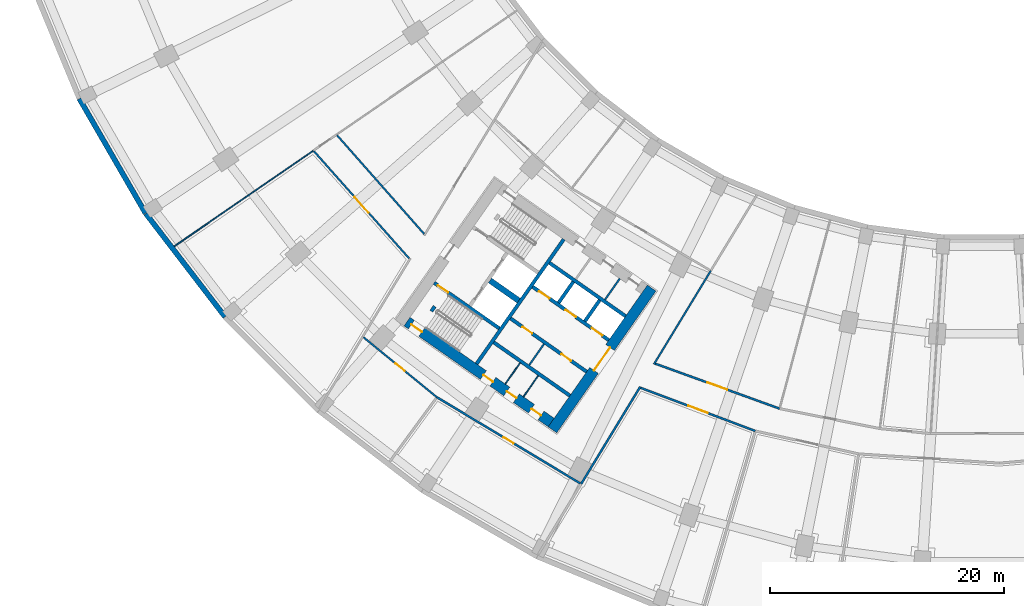
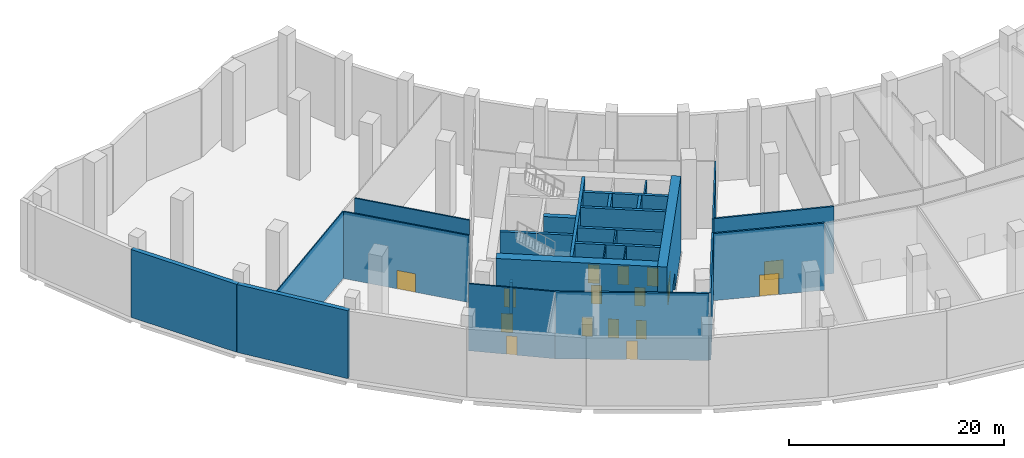
# One storey, part 5 of 17: 27 walls, 16 doors, 16 openings.
"""IFC4 building model written with IfcOpenShell, lengths in metres."""

from ifc_helpers import new_model, si_unit, direction, frame, frame_2d, origin, place, context, subcontext, project, spatial, rectangle, extrude, material, layer, layer_set, type_object, element, fill, save


model = new_model("IFC4")

# Units and contexts
model_context = context("Model", 3, precision=1e-05, world=origin(), true_north=direction((0.0, 1.0)))
body_context = subcontext(model_context, "Body", "Model", "MODEL_VIEW")
ifc_project = project(units=[si_unit("LENGTHUNIT", "METRE"), si_unit("AREAUNIT", "SQUARE_METRE"), si_unit("VOLUMEUNIT", "CUBIC_METRE"), si_unit("PLANEANGLEUNIT", "RADIAN"), si_unit("MASSUNIT", "GRAM", prefix="KILO")], contexts=[model_context])

# Site, building, storey
site_placement = place(None, origin())
site = spatial("IfcSite", under=ifc_project, at=site_placement, CompositionType="ELEMENT")
building_placement = place(site_placement, origin())
building = spatial("IfcBuilding", under=site, at=building_placement, Name="Qamariyya Broadcast Tower", CompositionType="ELEMENT")
storey_placement = place(building_placement, frame((0.0, 0.0, 18.0)))
storey = spatial("IfcBuildingStorey", under=building, at=storey_placement, Name="L02", CompositionType="ELEMENT", Elevation=18.0)

# Wall, opening, door
ifc_material_1 = material(Name="Concrete C70/85", Category="concrete")
ifc_layer_1 = layer(ifc_material_1, 0.89990234375)
ifc_layer_set_1 = layer_set([ifc_layer_1], Name="Core wall 900 mm Concrete C70/85")
wall_type_1 = type_object("IfcWallType", Name="Core wall 900 mm Concrete C70/85", PredefinedType="SHEAR", material=ifc_layer_set_1)
wall_1_placement = place(storey_placement, frame((-36.716796875, -66.3369140625, 0.0), z_axis=(0.0, 0.0, 1.0), x_axis=(0.573577477574, 0.819151315216, 0.0)))
wall_1 = element("IfcWall", 1, at=wall_1_placement, inside=storey, type_object=wall_type_1, Name="k-W-L02-WA", PredefinedType="SHEAR", context=body_context, shape_type="SweptSolid", body=[
    extrude(rectangle(XDim=14.800048828125, YDim=0.89990234375, at=frame_2d((7.39990234375, 0.0))), origin(), (0.0, 0.0, 1.0), 8.60009765625),
])
opening_1_placement = place(wall_1_placement, frame((6.199951171875, 0.0, 0.0)))
opening_1 = element("IfcOpeningElement", 2, at=opening_1_placement, cuts=wall_1, Name="Opening KD3-W1", PredefinedType="OPENING", context=body_context, shape_type="SweptSolid", body=[
    extrude(rectangle(XDim=2.39990234375, YDim=2.10009765625, at=frame_2d((1.199951171875, 1.050048828125))), frame((0.0, 0.4599609375, 0.0), z_axis=(0.0, -1.0, 0.0), x_axis=(1.0, 0.0, 0.0)), (0.0, 0.0, 1.0), 0.919921875),
])
ifc_material_2 = material(Name="Steel fire-resisting door leaf", Category="steel")
door_type_1 = type_object("IfcDoorType", Name="Lift lobby door KD3", OperationType="DOUBLE_DOOR_SINGLE_SWING", PredefinedType="DOOR", material=ifc_material_2)
door_1_placement = place(opening_1_placement, origin())
door_1 = element("IfcDoor", 3, at=door_1_placement, inside=storey, type_object=door_type_1, Name="k-W-L02-WA-D1", OperationType="DOUBLE_DOOR_SINGLE_SWING", OverallHeight=2.10009765625, OverallWidth=2.39990234375, PredefinedType="DOOR", context=body_context, shape_type="SweptSolid", body=[
    extrude(rectangle(XDim=2.39990234375, YDim=2.10009765625, at=frame_2d((1.199951171875, 1.050048828125))), frame((0.0, 0.02490234375, 0.0), z_axis=(0.0, -1.0, 0.0), x_axis=(1.0, 0.0, 0.0)), (0.0, 0.0, 1.0), 0.050048828125),
])
fill(opening_1, door_1)

# Wall, openings, doors
wall_2_placement = place(storey_placement, frame((-36.827392578125, -65.710205078125, 0.0), z_axis=(0.0, 0.0, 1.0), x_axis=(-0.819153391756, 0.573574511963, 0.0)))
wall_2 = element("IfcWall", 4, at=wall_2_placement, inside=storey, type_object=wall_type_1, Name="k-W-L02-WO", PredefinedType="SHEAR", context=body_context, shape_type="SweptSolid", body=[
    extrude(rectangle(XDim=15.04541015625, YDim=0.89990234375, at=frame_2d((7.522705078125, 0.0))), origin(), (0.0, 0.0, 1.0), 8.60009765625),
])
opening_2_placement = place(wall_2_placement, frame((1.050048828125, 0.0, 0.0)))
opening_2 = element("IfcOpeningElement", 5, at=opening_2_placement, cuts=wall_2, Name="Opening KD4-W2", PredefinedType="OPENING", context=body_context, shape_type="SweptSolid", body=[
    extrude(rectangle(XDim=1.0, YDim=2.10009765625, at=frame_2d((0.5, 1.050048828125))), frame((0.0, 0.4599609375, 0.0), z_axis=(0.0, -1.0, 0.0), x_axis=(1.0, 0.0, 0.0)), (0.0, 0.0, 1.0), 0.919921875),
])
opening_3_placement = place(wall_2_placement, frame((3.625, 0.0, 0.0)))
opening_3 = element("IfcOpeningElement", 6, at=opening_3_placement, cuts=wall_2, Name="Opening KD4-W3", PredefinedType="OPENING", context=body_context, shape_type="SweptSolid", body=[
    extrude(rectangle(XDim=1.0, YDim=2.10009765625, at=frame_2d((0.5, 1.050048828125))), frame((0.0, 0.4599609375, 0.0), z_axis=(0.0, -1.0, 0.0), x_axis=(1.0, 0.0, 0.0)), (0.0, 0.0, 1.0), 0.919921875),
])
opening_4_placement = place(wall_2_placement, frame((6.074951171875, 0.0, 0.0)))
opening_4 = element("IfcOpeningElement", 7, at=opening_4_placement, cuts=wall_2, Name="Opening KD6-W3", PredefinedType="OPENING", context=body_context, shape_type="SweptSolid", body=[
    extrude(rectangle(XDim=1.0, YDim=2.10009765625, at=frame_2d((0.5, 1.050048828125))), frame((0.0, 0.4599609375, 0.0), z_axis=(0.0, -1.0, 0.0), x_axis=(1.0, 0.0, 0.0)), (0.0, 0.0, 1.0), 0.919921875),
])
opening_5_placement = place(wall_2_placement, frame((13.495361328125, 0.0, 0.0)))
opening_5 = element("IfcOpeningElement", 8, at=opening_5_placement, cuts=wall_2, Name="Opening KD1-W3", PredefinedType="OPENING", context=body_context, shape_type="SweptSolid", body=[
    extrude(rectangle(XDim=1.10009765625, YDim=2.10009765625, at=frame_2d((0.550048828125, 1.050048828125))), frame((0.0, 0.4599609375, 0.0), z_axis=(0.0, -1.0, 0.0), x_axis=(1.0, 0.0, 0.0)), (0.0, 0.0, 1.0), 0.919921875),
])
door_type_2 = type_object("IfcDoorType", Name="Core room door KD6", OperationType="SINGLE_SWING_LEFT", PredefinedType="DOOR", material=ifc_material_2)
door_2_placement = place(opening_4_placement, origin())
door_2 = element("IfcDoor", 9, at=door_2_placement, inside=storey, type_object=door_type_2, Name="k-W-L02-WO-D12", OperationType="SINGLE_SWING_LEFT", OverallHeight=2.10009765625, OverallWidth=1.0, PredefinedType="DOOR", context=body_context, shape_type="SweptSolid", body=[
    extrude(rectangle(XDim=1.0, YDim=2.10009765625, at=frame_2d((0.5, 1.050048828125))), frame((0.0, 0.02490234375, 0.0), z_axis=(0.0, -1.0, 0.0), x_axis=(1.0, 0.0, 0.0)), (0.0, 0.0, 1.0), 0.050048828125),
])
fill(opening_4, door_2)
door_type_3 = type_object("IfcDoorType", Name="Riser and plant door KD4", OperationType="SINGLE_SWING_LEFT", PredefinedType="DOOR", material=ifc_material_2)
door_3_placement = place(opening_2_placement, origin())
door_3 = element("IfcDoor", 10, at=door_3_placement, inside=storey, type_object=door_type_3, Name="k-W-L02-WO-D10", OperationType="SINGLE_SWING_LEFT", OverallHeight=2.10009765625, OverallWidth=1.0, PredefinedType="DOOR", context=body_context, shape_type="SweptSolid", body=[
    extrude(rectangle(XDim=1.0, YDim=2.10009765625, at=frame_2d((0.5, 1.050048828125))), frame((0.0, 0.02490234375, 0.0), z_axis=(0.0, -1.0, 0.0), x_axis=(1.0, 0.0, 0.0)), (0.0, 0.0, 1.0), 0.050048828125),
])
fill(opening_2, door_3)
door_4_placement = place(opening_3_placement, origin())
door_4 = element("IfcDoor", 11, at=door_4_placement, inside=storey, type_object=door_type_3, Name="k-W-L02-WO-D11", OperationType="SINGLE_SWING_RIGHT", OverallHeight=2.10009765625, OverallWidth=1.0, PredefinedType="DOOR", context=body_context, shape_type="SweptSolid", body=[
    extrude(rectangle(XDim=1.0, YDim=2.10009765625, at=frame_2d((0.5, 1.050048828125))), frame((0.0, 0.02490234375, 0.0), z_axis=(0.0, -1.0, 0.0), x_axis=(1.0, 0.0, 0.0)), (0.0, 0.0, 1.0), 0.050048828125),
])
fill(opening_3, door_4)
door_type_4 = type_object("IfcDoorType", Name="Stair door KD1", OperationType="SINGLE_SWING_LEFT", PredefinedType="DOOR", material=ifc_material_2)
door_5_placement = place(opening_5_placement, origin())
door_5 = element("IfcDoor", 12, at=door_5_placement, inside=storey, type_object=door_type_4, Name="k-W-L02-WO-D18", OperationType="SINGLE_SWING_LEFT", OverallHeight=2.10009765625, OverallWidth=1.10009765625, PredefinedType="DOOR", context=body_context, shape_type="SweptSolid", body=[
    extrude(rectangle(XDim=1.10009765625, YDim=2.10009765625, at=frame_2d((0.550048828125, 1.050048828125))), frame((0.0, 0.02490234375, 0.0), z_axis=(0.0, -1.0, 0.0), x_axis=(1.0, 0.0, 0.0)), (0.0, 0.0, 1.0), 0.050048828125),
])
fill(opening_5, door_5)

# Wall, opening, door
ifc_material_3 = material(Name="Gypsum board partition")
ifc_layer_2 = layer(ifc_material_3, 0.14990234375)
ifc_layer_set_2 = layer_set([ifc_layer_2], Name="Corridor partition 150 EI 60")
wall_type_2 = type_object("IfcWallType", Name="Corridor partition 150 EI 60", PredefinedType="PARTITIONING", material=ifc_layer_set_2)
wall_3_placement = place(storey_placement, frame((-46.593505859375, -63.549072265625, 0.0), z_axis=(0.0, 0.0, 1.0), x_axis=(-0.774664810718, 0.632372066931, 0.0)))
wall_3 = element("IfcWall", 13, at=wall_3_placement, inside=storey, type_object=wall_type_2, Name="Partition L02-005", PredefinedType="PARTITIONING", context=body_context, shape_type="SweptSolid", body=[
    extrude(rectangle(XDim=8.112060546875, YDim=0.14990234375, at=frame_2d((4.05615234375, 0.0))), origin(), (0.0, 0.0, 1.0), 7.60009765625),
])
opening_6_placement = place(wall_3_placement, frame((3.55615234375, 0.0, 0.0)))
opening_6 = element("IfcOpeningElement", 14, at=opening_6_placement, cuts=wall_3, Name="Opening L02-D13", PredefinedType="OPENING", context=body_context, shape_type="SweptSolid", body=[
    extrude(rectangle(XDim=1.0, YDim=2.10009765625, at=frame_2d((0.5, 1.050048828125))), frame((0.0, 0.0849609375, 0.0), z_axis=(0.0, -1.0, 0.0), x_axis=(1.0, 0.0, 0.0)), (0.0, 0.0, 1.0), 0.169921875),
])
ifc_material_4 = material(Name="Timber fire door leaf", Category="wood")
door_type_5 = type_object("IfcDoorType", Name="Fire door 1000 x 2100 FD60", OperationType="NOTDEFINED", PredefinedType="DOOR", material=ifc_material_4)
door_6_placement = place(opening_6_placement, origin())
door_6 = element("IfcDoor", 15, at=door_6_placement, inside=storey, type_object=door_type_5, Name="Door L02-D13", OperationType="SINGLE_SWING_RIGHT", OverallHeight=2.10009765625, OverallWidth=1.0, PredefinedType="DOOR", context=body_context, shape_type="SweptSolid", body=[
    extrude(rectangle(XDim=1.0, YDim=2.10009765625, at=frame_2d((0.5, 1.050048828125))), frame((0.0, 0.02490234375, 0.0), z_axis=(0.0, -1.0, 0.0), x_axis=(1.0, 0.0, 0.0)), (0.0, 0.0, 1.0), 0.050048828125),
])
fill(opening_6, door_6)

wall_4_placement = place(storey_placement, frame((-48.958984375, -51.686767578125, 0.0), z_axis=(0.0, 0.0, 1.0), x_axis=(-0.664036516543, 0.747700143572, 0.0)))
wall_4 = element("IfcWall", 16, at=wall_4_placement, inside=storey, type_object=wall_type_2, Name="Partition L02-007", PredefinedType="PARTITIONING", context=body_context, shape_type="SweptSolid", body=[
    extrude(rectangle(XDim=12.270751953125, YDim=0.14990234375, at=frame_2d((6.13525390625, 0.0))), origin(), (0.0, 0.0, 1.0), 7.60009765625),
])
opening_7_placement = place(wall_4_placement, frame((5.2353515625, 0.0, 0.0)))
opening_7 = element("IfcOpeningElement", 17, at=opening_7_placement, cuts=wall_4, Name="Opening L02-D16", PredefinedType="OPENING", context=body_context, shape_type="SweptSolid", body=[
    extrude(rectangle(XDim=1.800048828125, YDim=2.10009765625, at=frame_2d((0.89990234375, 1.050048828125))), frame((0.0, 0.0849609375, 0.0), z_axis=(0.0, -1.0, 0.0), x_axis=(1.0, 0.0, 0.0)), (0.0, 0.0, 1.0), 0.169921875),
])
door_type_6 = type_object("IfcDoorType", Name="Double fire door 1800 x 2100 FD60", OperationType="NOTDEFINED", PredefinedType="DOOR", material=ifc_material_4)
door_7_placement = place(opening_7_placement, origin())
door_7 = element("IfcDoor", 18, at=door_7_placement, inside=storey, type_object=door_type_6, Name="Door L02-D16", OperationType="DOUBLE_DOOR_SINGLE_SWING", OverallHeight=2.10009765625, OverallWidth=1.800048828125, PredefinedType="DOOR", context=body_context, shape_type="SweptSolid", body=[
    extrude(rectangle(XDim=1.800048828125, YDim=2.10009765625, at=frame_2d((0.89990234375, 1.050048828125))), frame((0.0, 0.02490234375, 0.0), z_axis=(0.0, -1.0, 0.0), x_axis=(1.0, 0.0, 0.0)), (0.0, 0.0, 1.0), 0.050048828125),
])
fill(opening_7, door_7)

# Walls
wall_5_placement = place(storey_placement, frame((-47.683349609375, -49.587158203125, 0.0), z_axis=(0.0, 0.0, 1.0), x_axis=(-0.661713482334, 0.749756805436, 0.0)))
element("IfcWall", 19, at=wall_5_placement, inside=storey, type_object=wall_type_2, Name="Partition L02-009", PredefinedType="PARTITIONING", context=body_context, shape_type="SweptSolid", body=[
    extrude(rectangle(XDim=11.252685546875, YDim=0.14990234375, at=frame_2d((5.62646484375, 0.0))), origin(), (0.0, 0.0, 1.0), 7.60009765625),
])
wall_6_placement = place(storey_placement, frame((-23.174072265625, -52.732421875, 0.0), z_axis=(0.0, 0.0, 1.0), x_axis=(-0.519584464565, -0.854419091654, 0.0)))
element("IfcWall", 20, at=wall_6_placement, inside=storey, type_object=wall_type_2, Name="Partition L02-021", PredefinedType="PARTITIONING", context=body_context, shape_type="SweptSolid", body=[
    extrude(rectangle(XDim=9.35986328125, YDim=0.14990234375, at=frame_2d((4.679931640625, 0.0))), origin(), (0.0, 0.0, 1.0), 7.60009765625),
])
ifc_material_5 = material(Name="Concrete C60/75", Category="concrete")
ifc_layer_3 = layer(ifc_material_5, 0.5)
ifc_layer_set_3 = layer_set([ifc_layer_3], Name="Fire-fighting lobby divider wall 500 mm Concrete C60/75")
wall_type_3 = type_object("IfcWallType", Name="Fire-fighting lobby divider wall 500 mm Concrete C60/75", PredefinedType="SOLIDWALL", material=ifc_layer_set_3)
wall_7_placement = place(storey_placement, frame((-39.59912109375, -55.28515625, 0.0), z_axis=(0.0, 0.0, 1.0), x_axis=(-0.819136323161, 0.573598887793, 0.0)))
element("IfcWall", 21, at=wall_7_placement, inside=storey, type_object=wall_type_3, Name="k-W-L02-FD", PredefinedType="SOLIDWALL", context=body_context, shape_type="SweptSolid", body=[
    extrude(rectangle(XDim=2.999755859375, YDim=0.5, at=frame_2d((1.5, 0.0))), origin(), (0.0, 0.0, 1.0), 8.60009765625),
])
ifc_material_6 = material(Name="Gypsum board partition on steel studs", Category="steel")
ifc_layer_4 = layer(ifc_material_6, 0.14990234375)
ifc_layer_set_4 = layer_set([ifc_layer_4], Name="Gypsum board partition 150 mm")
wall_type_4 = type_object("IfcWallType", Name="Gypsum board partition 150 mm", PredefinedType="PARTITIONING", material=ifc_layer_set_4)
wall_8_placement = place(storey_placement, frame((-37.436767578125, -58.99658203125, 0.0), z_axis=(0.0, 0.0, 1.0), x_axis=(-0.573559170999, -0.819164133348, 0.0)))
element("IfcWall", 22, at=wall_8_placement, inside=storey, type_object=wall_type_4, Name="k-W-L02-SC435", PredefinedType="PARTITIONING", context=body_context, shape_type="SweptSolid", body=[
    extrude(rectangle(XDim=2.19970703125, YDim=0.14990234375, at=frame_2d((1.099853515625, 0.0))), origin(), (0.0, 0.0, 1.0), 8.60009765625),
])
wall_9_placement = place(storey_placement, frame((-32.2177734375, -55.204345703125, 0.0), z_axis=(0.0, 0.0, 1.0), x_axis=(0.573581496053, 0.819148501424, 0.0)))
element("IfcWall", 23, at=wall_9_placement, inside=storey, type_object=wall_type_4, Name="k-W-L02-NP225", PredefinedType="PARTITIONING", context=body_context, shape_type="SweptSolid", body=[
    extrude(rectangle(XDim=2.2001953125, YDim=0.14990234375, at=frame_2d((1.10009765625, 0.0))), origin(), (0.0, 0.0, 1.0), 8.60009765625),
])
ifc_layer_5 = layer(ifc_material_5, 0.300048828125)
ifc_layer_set_5 = layer_set([ifc_layer_5], Name="Lift shaft wall 300 mm Concrete C60/75")
wall_type_5 = type_object("IfcWallType", Name="Lift shaft wall 300 mm Concrete C60/75", PredefinedType="SOLIDWALL", material=ifc_layer_set_5)
wall_10_placement = place(storey_placement, frame((-43.204345703125, -60.69580078125, 0.0), z_axis=(0.0, 0.0, 1.0), x_axis=(0.573571992966, 0.819155155563, 0.0)))
element("IfcWall", 24, at=wall_10_placement, inside=storey, type_object=wall_type_5, Name="k-W-L02-WL", PredefinedType="SOLIDWALL", context=body_context, shape_type="SweptSolid", body=[
    extrude(rectangle(XDim=13.000244140625, YDim=0.300048828125, at=frame_2d((6.5, 0.0))), origin(), (0.0, 0.0, 1.0), 8.60009765625),
])

# Wall, openings, doors
wall_11_placement = place(storey_placement, frame((-31.89453125, -58.66552734375, 0.0), z_axis=(0.0, 0.0, 1.0), x_axis=(-0.819166993208, 0.573555086491, 0.0)))
wall_11 = element("IfcWall", 25, at=wall_11_placement, inside=storey, type_object=wall_type_5, Name="k-W-L02-NF0", PredefinedType="SOLIDWALL", context=body_context, shape_type="SweptSolid", body=[
    extrude(rectangle(XDim=7.9501953125, YDim=0.300048828125, at=frame_2d((3.97509765625, 0.0))), origin(), (0.0, 0.0, 1.0), 8.60009765625),
])
opening_8_placement = place(wall_11_placement, frame((0.675048828125, 0.0, 0.0)))
opening_8 = element("IfcOpeningElement", 26, at=opening_8_placement, cuts=wall_11, Name="Opening LD", PredefinedType="OPENING", context=body_context, shape_type="SweptSolid", body=[
    extrude(rectangle(XDim=1.10009765625, YDim=2.10009765625, at=frame_2d((0.550048828125, 1.050048828125))), frame((0.0, 0.159912109375, 0.0), z_axis=(0.0, -1.0, 0.0), x_axis=(1.0, 0.0, 0.0)), (0.0, 0.0, 1.0), 0.320068359375),
])
opening_9_placement = place(wall_11_placement, frame((3.425048828125, 0.0, 0.0)))
opening_9 = element("IfcOpeningElement", 27, at=opening_9_placement, cuts=wall_11, Name="Opening LD", PredefinedType="OPENING", context=body_context, shape_type="SweptSolid", body=[
    extrude(rectangle(XDim=1.10009765625, YDim=2.10009765625, at=frame_2d((0.550048828125, 1.050048828125))), frame((0.0, 0.159912109375, 0.0), z_axis=(0.0, -1.0, 0.0), x_axis=(1.0, 0.0, 0.0)), (0.0, 0.0, 1.0), 0.320068359375),
])
opening_10_placement = place(wall_11_placement, frame((6.175048828125, 0.0, 0.0)))
opening_10 = element("IfcOpeningElement", 28, at=opening_10_placement, cuts=wall_11, Name="Opening LD", PredefinedType="OPENING", context=body_context, shape_type="SweptSolid", body=[
    extrude(rectangle(XDim=1.10009765625, YDim=2.10009765625, at=frame_2d((0.550048828125, 1.050048828125))), frame((0.0, 0.159912109375, 0.0), z_axis=(0.0, -1.0, 0.0), x_axis=(1.0, 0.0, 0.0)), (0.0, 0.0, 1.0), 0.320068359375),
])
door_type_7 = type_object("IfcDoorType", Name="Lift landing door LD", OperationType="DOUBLE_DOOR_SLIDING", PredefinedType="DOOR", material=ifc_material_2)
door_8_placement = place(opening_8_placement, origin())
door_8 = element("IfcDoor", 29, at=door_8_placement, inside=storey, type_object=door_type_7, Name="k-W-L02-NF0-D2", OperationType="DOUBLE_DOOR_SLIDING", OverallHeight=2.10009765625, OverallWidth=1.10009765625, PredefinedType="DOOR", context=body_context, shape_type="SweptSolid", body=[
    extrude(rectangle(XDim=1.10009765625, YDim=2.10009765625, at=frame_2d((0.550048828125, 1.050048828125))), frame((0.0, 0.02490234375, 0.0), z_axis=(0.0, -1.0, 0.0), x_axis=(1.0, 0.0, 0.0)), (0.0, 0.0, 1.0), 0.050048828125),
])
fill(opening_8, door_8)
door_9_placement = place(opening_9_placement, origin())
door_9 = element("IfcDoor", 30, at=door_9_placement, inside=storey, type_object=door_type_7, Name="k-W-L02-NF0-D3", OperationType="DOUBLE_DOOR_SLIDING", OverallHeight=2.10009765625, OverallWidth=1.10009765625, PredefinedType="DOOR", context=body_context, shape_type="SweptSolid", body=[
    extrude(rectangle(XDim=1.10009765625, YDim=2.10009765625, at=frame_2d((0.550048828125, 1.050048828125))), frame((0.0, 0.02490234375, 0.0), z_axis=(0.0, -1.0, 0.0), x_axis=(1.0, 0.0, 0.0)), (0.0, 0.0, 1.0), 0.050048828125),
])
fill(opening_9, door_9)
door_10_placement = place(opening_10_placement, origin())
door_10 = element("IfcDoor", 31, at=door_10_placement, inside=storey, type_object=door_type_7, Name="k-W-L02-NF0-D4", OperationType="DOUBLE_DOOR_SLIDING", OverallHeight=2.10009765625, OverallWidth=1.10009765625, PredefinedType="DOOR", context=body_context, shape_type="SweptSolid", body=[
    extrude(rectangle(XDim=1.10009765625, YDim=2.10009765625, at=frame_2d((0.550048828125, 1.050048828125))), frame((0.0, 0.02490234375, 0.0), z_axis=(0.0, -1.0, 0.0), x_axis=(1.0, 0.0, 0.0)), (0.0, 0.0, 1.0), 0.050048828125),
])
fill(opening_10, door_10)

# Walls
wall_12_placement = place(storey_placement, frame((-30.460693359375, -56.61767578125, 0.0), z_axis=(0.0, 0.0, 1.0), x_axis=(-0.819142461705, 0.573590121456, 0.0)))
element("IfcWall", 32, at=wall_12_placement, inside=storey, type_object=wall_type_5, Name="k-W-L02-NB0", PredefinedType="SOLIDWALL", context=body_context, shape_type="SweptSolid", body=[
    extrude(rectangle(XDim=7.949951171875, YDim=0.300048828125, at=frame_2d((3.97509765625, 0.0))), origin(), (0.0, 0.0, 1.0), 8.60009765625),
])
wall_13_placement = place(storey_placement, frame((-33.9384765625, -57.051513671875, 0.0), z_axis=(0.0, 0.0, 1.0), x_axis=(0.573581496053, 0.819148501424, 0.0)))
element("IfcWall", 33, at=wall_13_placement, inside=storey, type_object=wall_type_5, Name="k-W-L02-ND0", PredefinedType="SOLIDWALL", context=body_context, shape_type="SweptSolid", body=[
    extrude(rectangle(XDim=2.2001953125, YDim=0.300048828125, at=frame_2d((1.10009765625, 0.0))), origin(), (0.0, 0.0, 1.0), 8.60009765625),
])
wall_14_placement = place(storey_placement, frame((-36.19091796875, -55.47412109375, 0.0), z_axis=(0.0, 0.0, 1.0), x_axis=(0.573507030513, 0.819200638399, 0.0)))
element("IfcWall", 34, at=wall_14_placement, inside=storey, type_object=wall_type_5, Name="k-W-L02-ND1", PredefinedType="SOLIDWALL", context=body_context, shape_type="SweptSolid", body=[
    extrude(rectangle(XDim=2.199951171875, YDim=0.300048828125, at=frame_2d((1.10009765625, 0.0))), origin(), (0.0, 0.0, 1.0), 8.60009765625),
])

# Wall, openings, doors
wall_15_placement = place(storey_placement, frame((-33.787353515625, -61.368896484375, 0.0), z_axis=(0.0, 0.0, 1.0), x_axis=(-0.819152564888, 0.573575692858, 0.0)))
wall_15 = element("IfcWall", 35, at=wall_15_placement, inside=storey, type_object=wall_type_5, Name="k-W-L02-SF0", PredefinedType="SOLIDWALL", context=body_context, shape_type="SweptSolid", body=[
    extrude(rectangle(XDim=7.9501953125, YDim=0.300048828125, at=frame_2d((3.97509765625, 0.0))), origin(), (0.0, 0.0, 1.0), 8.60009765625),
])
opening_11_placement = place(wall_15_placement, frame((1.637451171875, 0.0, 0.0)))
opening_11 = element("IfcOpeningElement", 36, at=opening_11_placement, cuts=wall_15, Name="Opening KD4-W1", PredefinedType="OPENING", context=body_context, shape_type="SweptSolid", body=[
    extrude(rectangle(XDim=1.0, YDim=2.10009765625, at=frame_2d((0.5, 1.050048828125))), frame((0.0, 0.159912109375, 0.0), z_axis=(0.0, -1.0, 0.0), x_axis=(1.0, 0.0, 0.0)), (0.0, 0.0, 1.0), 0.320068359375),
])
opening_12_placement = place(wall_15_placement, frame((5.6875, 0.0, 0.0)))
opening_12 = element("IfcOpeningElement", 37, at=opening_12_placement, cuts=wall_15, Name="Opening KD6-W1", PredefinedType="OPENING", context=body_context, shape_type="SweptSolid", body=[
    extrude(rectangle(XDim=1.0, YDim=2.10009765625, at=frame_2d((0.5, 1.050048828125))), frame((0.0, 0.159912109375, 0.0), z_axis=(0.0, -1.0, 0.0), x_axis=(1.0, 0.0, 0.0)), (0.0, 0.0, 1.0), 0.320068359375),
])
door_11_placement = place(opening_12_placement, origin())
door_11 = element("IfcDoor", 38, at=door_11_placement, inside=storey, type_object=door_type_2, Name="k-W-L02-SF0-D6", OperationType="SINGLE_SWING_LEFT", OverallHeight=2.10009765625, OverallWidth=1.0, PredefinedType="DOOR", context=body_context, shape_type="SweptSolid", body=[
    extrude(rectangle(XDim=1.0, YDim=2.10009765625, at=frame_2d((0.5, 1.050048828125))), frame((0.0, 0.02490234375, 0.0), z_axis=(0.0, -1.0, 0.0), x_axis=(1.0, 0.0, 0.0)), (0.0, 0.0, 1.0), 0.050048828125),
])
fill(opening_12, door_11)
door_12_placement = place(opening_11_placement, origin())
door_12 = element("IfcDoor", 39, at=door_12_placement, inside=storey, type_object=door_type_3, Name="k-W-L02-SF0-D5", OperationType="SINGLE_SWING_RIGHT", OverallHeight=2.10009765625, OverallWidth=1.0, PredefinedType="DOOR", context=body_context, shape_type="SweptSolid", body=[
    extrude(rectangle(XDim=1.0, YDim=2.10009765625, at=frame_2d((0.5, 1.050048828125))), frame((0.0, 0.02490234375, 0.0), z_axis=(0.0, -1.0, 0.0), x_axis=(1.0, 0.0, 0.0)), (0.0, 0.0, 1.0), 0.050048828125),
])
fill(opening_11, door_12)

# Wall
wall_16_placement = place(storey_placement, frame((-35.22119140625, -63.41650390625, 0.0), z_axis=(0.0, 0.0, 1.0), x_axis=(-0.819166993208, 0.573555086491, 0.0)))
element("IfcWall", 40, at=wall_16_placement, inside=storey, type_object=wall_type_5, Name="k-W-L02-SB0", PredefinedType="SOLIDWALL", context=body_context, shape_type="SweptSolid", body=[
    extrude(rectangle(XDim=7.9501953125, YDim=0.300048828125, at=frame_2d((3.97509765625, 0.0))), origin(), (0.0, 0.0, 1.0), 8.60009765625),
])

# Wall, opening, door
wall_17_placement = place(storey_placement, frame((-41.262451171875, -57.66064453125, 0.0), z_axis=(0.0, 0.0, 1.0), x_axis=(-0.819164398642, 0.573558792102, 0.0)))
wall_17 = element("IfcWall", 41, at=wall_17_placement, inside=storey, type_object=wall_type_5, Name="k-W-L02-SW", PredefinedType="SOLIDWALL", context=body_context, shape_type="SweptSolid", body=[
    extrude(rectangle(XDim=6.795166015625, YDim=0.300048828125, at=frame_2d((3.3974609375, 0.0))), origin(), (0.0, 0.0, 1.0), 8.60009765625),
])
opening_13_placement = place(wall_17_placement, frame((5.3203125, 0.0, 0.0)))
opening_13 = element("IfcOpeningElement", 42, at=opening_13_placement, cuts=wall_17, Name="Opening KD1-W4", PredefinedType="OPENING", context=body_context, shape_type="SweptSolid", body=[
    extrude(rectangle(XDim=1.10009765625, YDim=2.10009765625, at=frame_2d((0.550048828125, 1.050048828125))), frame((0.0, 0.159912109375, 0.0), z_axis=(0.0, -1.0, 0.0), x_axis=(1.0, 0.0, 0.0)), (0.0, 0.0, 1.0), 0.320068359375),
])
door_13_placement = place(opening_13_placement, origin())
door_13 = element("IfcDoor", 43, at=door_13_placement, inside=storey, type_object=door_type_4, Name="k-W-L02-SW-D19", OperationType="SINGLE_SWING_RIGHT", OverallHeight=2.10009765625, OverallWidth=1.10009765625, PredefinedType="DOOR", context=body_context, shape_type="SweptSolid", body=[
    extrude(rectangle(XDim=1.10009765625, YDim=2.10009765625, at=frame_2d((0.550048828125, 1.050048828125))), frame((0.0, 0.02490234375, 0.0), z_axis=(0.0, -1.0, 0.0), x_axis=(1.0, 0.0, 0.0)), (0.0, 0.0, 1.0), 0.050048828125),
])
fill(opening_13, door_13)

# Walls
wall_18_placement = place(storey_placement, frame((-47.064697265625, -56.19189453125, 0.0), z_axis=(0.0, 0.0, 1.0), x_axis=(0.573822822947, 0.818979467304, 0.0)))
element("IfcWall", 44, at=wall_18_placement, inside=storey, type_object=wall_type_5, Name="k-W-L02-W1PR", PredefinedType="SOLIDWALL", context=body_context, shape_type="SweptSolid", body=[
    extrude(rectangle(XDim=0.5, YDim=0.300048828125, at=frame_2d((0.25, 0.0))), origin(), (0.0, 0.0, 1.0), 4.300048828125),
])
ifc_layer_6 = layer(ifc_material_3, 0.10009765625)
ifc_layer_set_6 = layer_set([ifc_layer_6], Name="Partition 100")
wall_type_6 = type_object("IfcWallType", Name="Partition 100", PredefinedType="PARTITIONING", material=ifc_layer_set_6)
wall_19_placement = place(storey_placement, frame((-69.05419921875, -50.646240234375, 0.0), z_axis=(0.0, 0.0, 1.0), x_axis=(0.823691111389, 0.567038757952, 0.0)))
element("IfcWall", 45, at=wall_19_placement, inside=storey, type_object=wall_type_6, Name="Partition L02-001", PredefinedType="PARTITIONING", context=body_context, shape_type="SweptSolid", body=[
    extrude(rectangle(XDim=14.44384765625, YDim=0.10009765625, at=frame_2d((7.221923828125, 0.0))), origin(), (0.0, 0.0, 1.0), 7.60009765625),
])
ifc_material_7 = material(Name="Precast concrete C40/50 with terracotta facing", Category="masonry")
ifc_layer_7 = layer(ifc_material_7, 0.449951171875)
ifc_layer_set_7 = layer_set([ifc_layer_7], Name="Precast concrete C40/50 wall 450, terracotta faced")
wall_type_7 = type_object("IfcWallType", Name="Precast concrete C40/50 wall 450, terracotta faced", PredefinedType="SOLIDWALL", material=ifc_layer_set_7)
wall_20_placement = place(storey_placement, frame((-77.16796875, -38.021728515625, 0.0), z_axis=(0.0, 0.0, 1.0), x_axis=(0.500001430823, -0.866024577697, 0.0)))
element("IfcWall", 46, at=wall_20_placement, inside=storey, type_object=wall_type_7, Name="e-wl-L02-out20", PredefinedType="SOLIDWALL", context=body_context, shape_type="SweptSolid", body=[
    extrude(rectangle(XDim=11.3125, YDim=0.449951171875, at=frame_2d((5.65625, 0.0))), origin(), (0.0, 0.0, 1.0), 7.699951171875),
])
wall_21_placement = place(storey_placement, frame((-71.490966796875, -47.83935546875, 0.0), z_axis=(0.0, 0.0, 1.0), x_axis=(0.608758773695, -0.793355377778, 0.0)))
element("IfcWall", 47, at=wall_21_placement, inside=storey, type_object=wall_type_7, Name="e-wl-L02-out30", PredefinedType="SOLIDWALL", context=body_context, shape_type="SweptSolid", body=[
    extrude(rectangle(XDim=11.134765625, YDim=0.449951171875, at=frame_2d((5.5673828125, 0.0))), origin(), (0.0, 0.0, 1.0), 7.699951171875),
])
ifc_material_8 = material(Name="Fire-rated gypsum shaft liner on steel studs", Category="steel")
ifc_layer_8 = layer(ifc_material_8, 0.10009765625)
ifc_layer_set_8 = layer_set([ifc_layer_8], Name="Riser wall 100 mm")
wall_type_8 = type_object("IfcWallType", Name="Riser wall 100 mm", PredefinedType="PLUMBINGWALL", material=ifc_layer_set_8)
wall_22_placement = place(storey_placement, frame((-37.9287109375, -61.7041015625, 0.0), z_axis=(0.0, 0.0, 1.0), x_axis=(-0.573559170999, -0.819164133348, 0.0)))
element("IfcWall", 48, at=wall_22_placement, inside=storey, type_object=wall_type_8, Name="k-W-L02-SP320", PredefinedType="PLUMBINGWALL", context=body_context, shape_type="SweptSolid", body=[
    extrude(rectangle(XDim=2.19970703125, YDim=0.10009765625, at=frame_2d((1.099853515625, 0.0))), origin(), (0.0, 0.0, 1.0), 8.60009765625),
])
wall_23_placement = place(storey_placement, frame((-39.485107421875, -60.6142578125, 0.0), z_axis=(0.0, 0.0, 1.0), x_axis=(-0.573507030513, -0.819200638399, 0.0)))
element("IfcWall", 49, at=wall_23_placement, inside=storey, type_object=wall_type_8, Name="k-W-L02-SP510", PredefinedType="PLUMBINGWALL", context=body_context, shape_type="SweptSolid", body=[
    extrude(rectangle(XDim=2.199951171875, YDim=0.10009765625, at=frame_2d((1.10009765625, 0.0))), origin(), (0.0, 0.0, 1.0), 8.60009765625),
])

# Wall, opening, door
ifc_layer_9 = layer(ifc_material_3, 0.179931640625)
ifc_layer_set_9 = layer_set([ifc_layer_9], Name="Studio acoustic partition 180 EI 60")
wall_type_9 = type_object("IfcWallType", Name="Studio acoustic partition 180 EI 60", PredefinedType="PARTITIONING", material=ifc_layer_set_9)
wall_24_placement = place(storey_placement, frame((-34.337158203125, -70.916259765625, 0.0), z_axis=(0.0, 0.0, 1.0), x_axis=(-0.857079893963, 0.515183516199, 0.0)))
wall_24 = element("IfcWall", 50, at=wall_24_placement, inside=storey, type_object=wall_type_9, Name="Partition L02-010", PredefinedType="PARTITIONING", context=body_context, shape_type="SweptSolid", body=[
    extrude(rectangle(XDim=14.300048828125, YDim=0.179931640625, at=frame_2d((7.14990234375, 0.0))), origin(), (0.0, 0.0, 1.0), 7.60009765625),
])
opening_14_placement = place(wall_24_placement, frame((6.650146484375, 0.0, 0.0)))
opening_14 = element("IfcOpeningElement", 51, at=opening_14_placement, cuts=wall_24, Name="Opening L02-D14", PredefinedType="OPENING", context=body_context, shape_type="SweptSolid", body=[
    extrude(rectangle(XDim=1.0, YDim=2.10009765625, at=frame_2d((0.5, 1.050048828125))), frame((0.0, 0.099853515625, 0.0), z_axis=(0.0, -1.0, 0.0), x_axis=(1.0, 0.0, 0.0)), (0.0, 0.0, 1.0), 0.199951171875),
])
door_14_placement = place(opening_14_placement, origin())
door_14 = element("IfcDoor", 52, at=door_14_placement, inside=storey, type_object=door_type_5, Name="Door L02-D14", OperationType="SINGLE_SWING_RIGHT", OverallHeight=2.10009765625, OverallWidth=1.0, PredefinedType="DOOR", context=body_context, shape_type="SweptSolid", body=[
    extrude(rectangle(XDim=1.0, YDim=2.10009765625, at=frame_2d((0.5, 1.050048828125))), frame((0.0, 0.02490234375, 0.0), z_axis=(0.0, -1.0, 0.0), x_axis=(1.0, 0.0, 0.0)), (0.0, 0.0, 1.0), 0.050048828125),
])
fill(opening_14, door_14)

# Wall
wall_25_placement = place(storey_placement, frame((-29.19873046875, -62.639404296875, 0.0), z_axis=(0.0, 0.0, 1.0), x_axis=(-0.519569231187, -0.854428355103, 0.0)))
element("IfcWall", 53, at=wall_25_placement, inside=storey, type_object=wall_type_9, Name="Partition L02-017", PredefinedType="PARTITIONING", context=body_context, shape_type="SweptSolid", body=[
    extrude(rectangle(XDim=9.7412109375, YDim=0.179931640625, at=frame_2d((4.87060546875, 0.0))), origin(), (0.0, 0.0, 1.0), 7.60009765625),
])

# Wall, opening, door
wall_26_placement = place(storey_placement, frame((-19.365966796875, -66.434814453125, 0.0), z_axis=(0.0, 0.0, 1.0), x_axis=(-0.935901890315, 0.352260772305, 0.0)))
wall_26 = element("IfcWall", 54, at=wall_26_placement, inside=storey, type_object=wall_type_9, Name="Partition L02-018", PredefinedType="PARTITIONING", context=body_context, shape_type="SweptSolid", body=[
    extrude(rectangle(XDim=10.466064453125, YDim=0.179931640625, at=frame_2d((5.23291015625, 0.0))), origin(), (0.0, 0.0, 1.0), 7.60009765625),
])
opening_15_placement = place(wall_26_placement, frame((4.3330078125, 0.0, 0.0)))
opening_15 = element("IfcOpeningElement", 55, at=opening_15_placement, cuts=wall_26, Name="Opening L02-D01", PredefinedType="OPENING", context=body_context, shape_type="SweptSolid", body=[
    extrude(rectangle(XDim=1.800048828125, YDim=2.39990234375, at=frame_2d((0.89990234375, 1.199951171875))), frame((0.0, 0.099853515625, 0.0), z_axis=(0.0, -1.0, 0.0), x_axis=(1.0, 0.0, 0.0)), (0.0, 0.0, 1.0), 0.199951171875),
])
ifc_material_9 = material(Name="Acoustic timber door leaf", Category="wood")
door_type_8 = type_object("IfcDoorType", Name="Studio double door 1800 x 2400 FD60", OperationType="NOTDEFINED", PredefinedType="DOOR", material=ifc_material_9)
door_15_placement = place(opening_15_placement, origin())
door_15 = element("IfcDoor", 56, at=door_15_placement, inside=storey, type_object=door_type_8, Name="Door L02-D01", OperationType="DOUBLE_DOOR_SINGLE_SWING", OverallHeight=2.39990234375, OverallWidth=1.800048828125, PredefinedType="DOOR", context=body_context, shape_type="SweptSolid", body=[
    extrude(rectangle(XDim=1.800048828125, YDim=2.39990234375, at=frame_2d((0.89990234375, 1.199951171875))), frame((0.0, 0.02490234375, 0.0), z_axis=(0.0, -1.0, 0.0), x_axis=(1.0, 0.0, 0.0)), (0.0, 0.0, 1.0), 0.050048828125),
])
fill(opening_15, door_15)

wall_27_placement = place(storey_placement, frame((-27.919921875, -60.678466796875, 0.0), z_axis=(0.0, 0.0, 1.0), x_axis=(0.940369024046, -0.340155991589, 0.0)))
wall_27 = element("IfcWall", 57, at=wall_27_placement, inside=storey, type_object=wall_type_9, Name="Partition L02-019", PredefinedType="PARTITIONING", context=body_context, shape_type="SweptSolid", body=[
    extrude(rectangle(XDim=11.304931640625, YDim=0.179931640625, at=frame_2d((5.65234375, 0.0))), origin(), (0.0, 0.0, 1.0), 7.60009765625),
])
opening_16_placement = place(wall_27_placement, frame((4.75244140625, 0.0, 0.0)))
opening_16 = element("IfcOpeningElement", 58, at=opening_16_placement, cuts=wall_27, Name="Opening L02-D05", PredefinedType="OPENING", context=body_context, shape_type="SweptSolid", body=[
    extrude(rectangle(XDim=1.800048828125, YDim=2.10009765625, at=frame_2d((0.89990234375, 1.050048828125))), frame((0.0, 0.099853515625, 0.0), z_axis=(0.0, -1.0, 0.0), x_axis=(1.0, 0.0, 0.0)), (0.0, 0.0, 1.0), 0.199951171875),
])
door_16_placement = place(opening_16_placement, origin())
door_16 = element("IfcDoor", 59, at=door_16_placement, inside=storey, type_object=door_type_6, Name="Door L02-D05", OperationType="DOUBLE_DOOR_SINGLE_SWING", OverallHeight=2.10009765625, OverallWidth=1.800048828125, PredefinedType="DOOR", context=body_context, shape_type="SweptSolid", body=[
    extrude(rectangle(XDim=1.800048828125, YDim=2.10009765625, at=frame_2d((0.89990234375, 1.050048828125))), frame((0.0, 0.02490234375, 0.0), z_axis=(0.0, -1.0, 0.0), x_axis=(1.0, 0.0, 0.0)), (0.0, 0.0, 1.0), 0.050048828125),
])
fill(opening_16, door_16)

save(model, "model.ifc")
